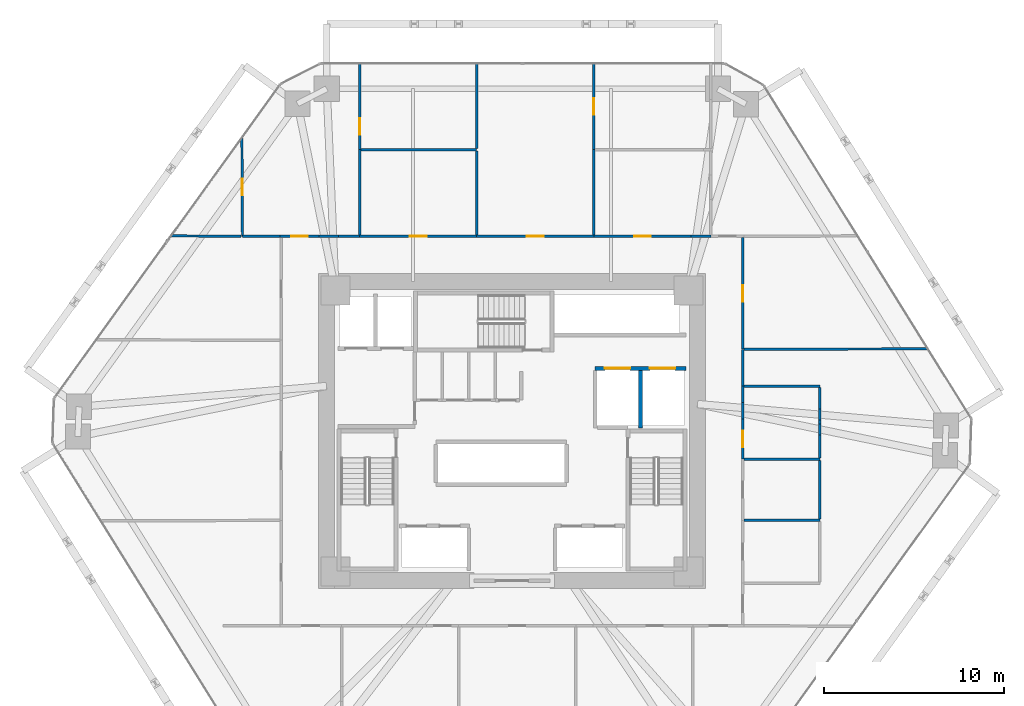
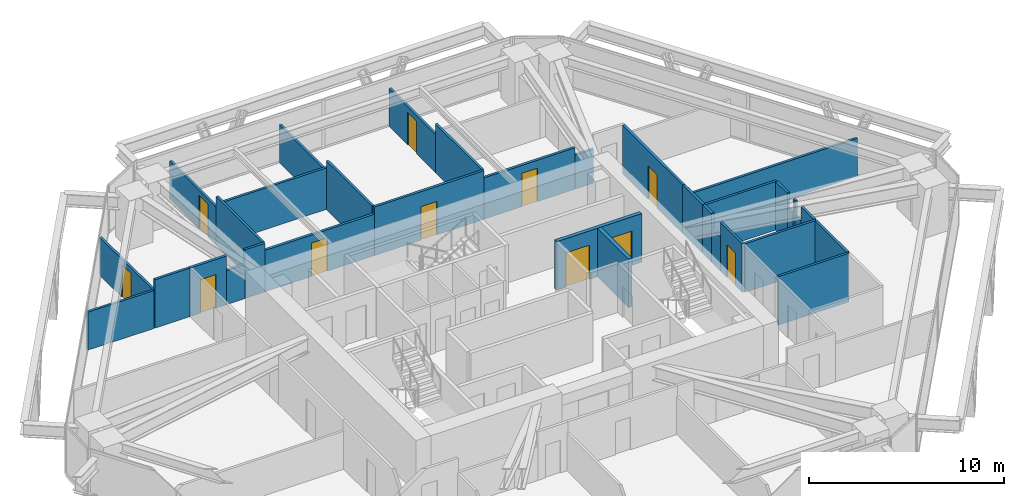
# One storey, part 13 of 15: 34 walls, 11 doors, 11 openings.
"""IFC4 building model written with IfcOpenShell, lengths in metres."""

from ifc_helpers import new_model, si_unit, direction, frame, frame_2d, origin, place, context, subcontext, project, spatial, rectangle, extrude, source, transform, mapped, material, layer, layer_set, type_object, type_shapes, element, fill, save


model = new_model("IFC4")

# Units and contexts
model_context = context("Model", 3, precision=1e-05, world=origin(), true_north=direction((0.0, 1.0)))
body_context = subcontext(model_context, "Body", "Model", "MODEL_VIEW")
ifc_project = project(units=[si_unit("LENGTHUNIT", "METRE"), si_unit("AREAUNIT", "SQUARE_METRE"), si_unit("VOLUMEUNIT", "CUBIC_METRE"), si_unit("PLANEANGLEUNIT", "RADIAN"), si_unit("MASSUNIT", "GRAM", prefix="KILO")], contexts=[model_context])

# Site, building, storey
site_placement = place(None, origin())
site = spatial("IfcSite", under=ifc_project, at=site_placement, CompositionType="ELEMENT")
building_placement = place(site_placement, origin())
building = spatial("IfcBuilding", under=site, at=building_placement, Name="Durnholm Broadcast Tower", CompositionType="ELEMENT")
storey_placement = place(building_placement, frame((0.0, 0.0, 42.300048828125)))
storey = spatial("IfcBuildingStorey", under=building, at=storey_placement, Name="L09", CompositionType="ELEMENT", Elevation=42.300048828125)

# Wall, opening, door
ifc_material_1 = material(Name="Gypsum Metal Stud Partition", Category="concrete")
ifc_layer_1 = layer(ifc_material_1, 0.135009765625)
ifc_layer_set_1 = layer_set([ifc_layer_1], Name="Gypsum Metal Stud Partition")
wall_type_1 = type_object("IfcWallType", Name="WALL-PART-135", PredefinedType="PARTITIONING", material=ifc_layer_set_1)
wall_1_placement = place(storey_placement, frame((-14.992431640625, 16.283447265625, 0.0), z_axis=(0.0, 0.0, 1.0), x_axis=(0.005932363604, -0.999982403376, 0.0)))
wall_1 = element("IfcWall", 1, at=wall_1_placement, inside=storey, type_object=wall_type_1, Name="L09 room dividing partition 8.9", PredefinedType="PARTITIONING", context=body_context, shape_type="SweptSolid", body=[
    extrude(rectangle(XDim=5.473388671875, YDim=0.135009765625, at=frame_2d((2.73681640625, 0.0))), origin(), (0.0, 0.0, 1.0), 2.3798828125),
])
opening_1_placement = place(wall_1_placement, frame((2.286865234375, 0.0, 0.0)))
opening_1 = element("IfcOpeningElement", 2, at=opening_1_placement, cuts=wall_1, Name="Opening DW-90L", PredefinedType="OPENING", context=body_context, shape_type="SweptSolid", body=[
    extrude(rectangle(XDim=0.89990234375, YDim=2.050048828125, at=frame_2d((0.449951171875, 1.02490234375))), frame((0.0, 0.07763671875, 0.0), z_axis=(0.0, -1.0, 0.0), x_axis=(1.0, 0.0, 0.0)), (0.0, 0.0, 1.0), 0.155029296875),
])
ifc_material_2 = material(Name="Laminate Restroom Door", Category="steel")
ifc_layer_2 = layer(ifc_material_2, 0.050048828125)
ifc_layer_set_2 = layer_set([ifc_layer_2], Name="Laminate Restroom Door")
door_type_1 = type_object("IfcDoorType", Name="DOOR-WC-900L", OperationType="NOTDEFINED", PredefinedType="DOOR", material=ifc_layer_set_2)
shared_shape_1 = source(origin(), body_context, "Body", "SweptSolid", [
    extrude(rectangle(XDim=0.89990234375, YDim=2.050048828125, at=frame_2d((0.449951171875, 1.02490234375))), frame((0.0, 0.02490234375, 0.0), z_axis=(0.0, -1.0, 0.0), x_axis=(1.0, 0.0, 0.0)), (0.0, 0.0, 1.0), 0.050048828125),
])
type_shapes(door_type_1, [shared_shape_1])
door_1_placement = place(opening_1_placement, origin())
door_1 = element("IfcDoor", 3, at=door_1_placement, inside=storey, type_object=door_type_1, Name="L09 Video Edit Office 1 connecting door", OperationType="SINGLE_SWING_LEFT", OverallHeight=2.050048828125, OverallWidth=0.89990234375, PredefinedType="DOOR", context=body_context, shape_type="MappedRepresentation", body=[
    mapped(shared_shape_1, transform((0.0, 0.0, 0.0), x_axis=(1.0, 0.0, 0.0), y_axis=(0.0, 1.0, 0.0), z_axis=(0.0, 0.0, 1.0), scale=1.0)),
])
fill(opening_1, door_1)

# Walls
wall_2_placement = place(storey_placement, frame((-15.031494140625, 10.810302734375, 0.0), z_axis=(0.0, 0.0, 1.0), x_axis=(-0.999982229424, 0.005961613542, 0.0)))
element("IfcWall", 4, at=wall_2_placement, inside=storey, type_object=wall_type_1, Name="L09 room dividing partition 8.23", PredefinedType="PARTITIONING", context=body_context, shape_type="SweptSolid", body=[
    extrude(rectangle(XDim=3.890380859375, YDim=0.135009765625, at=frame_2d((1.9453125, 0.0))), origin(), (0.0, 0.0, 1.0), 2.3798828125),
])
wall_3_placement = place(storey_placement, frame((-8.4599609375, 15.625, 0.0), z_axis=(0.0, 0.0, 1.0), x_axis=(0.0, -1.0, 0.0)))
element("IfcWall", 5, at=wall_3_placement, inside=storey, type_object=wall_type_1, Name="L09 room dividing partition 9.10", PredefinedType="PARTITIONING", context=body_context, shape_type="SweptSolid", body=[
    extrude(rectangle(XDim=4.736083984375, YDim=0.135009765625, at=frame_2d((2.3681640625, 0.0))), origin(), (0.0, 0.0, 1.0), 3.044921875),
])

# Wall, opening, door
wall_4_placement = place(storey_placement, frame((-8.4599609375, 20.39990234375, 0.0), z_axis=(0.0, 0.0, 1.0), x_axis=(0.0, -1.0, 0.0)))
wall_4 = element("IfcWall", 6, at=wall_4_placement, inside=storey, type_object=wall_type_1, Name="L09 room dividing partition 9.11", PredefinedType="PARTITIONING", context=body_context, shape_type="SweptSolid", body=[
    extrude(rectangle(XDim=4.77490234375, YDim=0.135009765625, at=frame_2d((2.387451171875, 0.0))), origin(), (0.0, 0.0, 1.0), 2.3798828125),
])
opening_2_placement = place(wall_4_placement, frame((3.050048828125, 0.0, 0.0)))
opening_2 = element("IfcOpeningElement", 7, at=opening_2_placement, cuts=wall_4, Name="Opening DW-90L", PredefinedType="OPENING", context=body_context, shape_type="SweptSolid", body=[
    extrude(rectangle(XDim=0.89990234375, YDim=2.050048828125, at=frame_2d((0.449951171875, 1.02490234375))), frame((0.0, 0.07763671875, 0.0), z_axis=(0.0, -1.0, 0.0), x_axis=(1.0, 0.0, 0.0)), (0.0, 0.0, 1.0), 0.155029296875),
])
door_2_placement = place(opening_2_placement, origin())
door_2 = element("IfcDoor", 8, at=door_2_placement, inside=storey, type_object=door_type_1, Name="L09 Audio Mix Office connecting door", OperationType="SINGLE_SWING_LEFT", OverallHeight=2.050048828125, OverallWidth=0.89990234375, PredefinedType="DOOR", context=body_context, shape_type="MappedRepresentation", body=[
    mapped(shared_shape_1, transform((0.0, 0.0, 0.0), x_axis=(1.0, 0.0, 0.0), y_axis=(0.0, 1.0, 0.0), z_axis=(0.0, 0.0, 1.0), scale=1.0)),
])
fill(opening_2, door_2)

# Walls
wall_5_placement = place(storey_placement, frame((-12.889892578125, 10.81005859375, 0.0), z_axis=(0.0, 0.0, 1.0), x_axis=(-1.0, 0.0, 0.0)))
element("IfcWall", 9, at=wall_5_placement, inside=storey, type_object=wall_type_1, Name="L09 room dividing partition 9.23", PredefinedType="PARTITIONING", context=body_context, shape_type="SweptSolid", body=[
    extrude(rectangle(XDim=2.070068359375, YDim=0.135009765625, at=frame_2d((1.03515625, 0.0))), origin(), (0.0, 0.0, 1.0), 3.044921875),
])
wall_6_placement = place(storey_placement, frame((-8.388427734375, 15.625, 0.0), z_axis=(0.0, 0.0, 1.0), x_axis=(1.0, 0.0, 0.0)))
element("IfcWall", 10, at=wall_6_placement, inside=storey, type_object=wall_type_1, Name="L09 room dividing partition 10.11", PredefinedType="PARTITIONING", context=body_context, shape_type="SweptSolid", body=[
    extrude(rectangle(XDim=6.428466796875, YDim=0.135009765625, at=frame_2d((3.21435546875, 0.0))), origin(), (0.0, 0.0, 1.0), 2.59765625),
])
wall_7_placement = place(storey_placement, frame((-1.9599609375, 15.553466796875, 0.0), z_axis=(0.0, 0.0, 1.0), x_axis=(0.0, -1.0, 0.0)))
element("IfcWall", 11, at=wall_7_placement, inside=storey, type_object=wall_type_1, Name="L09 room dividing partition 10.12", PredefinedType="PARTITIONING", context=body_context, shape_type="SweptSolid", body=[
    extrude(rectangle(XDim=4.66455078125, YDim=0.135009765625, at=frame_2d((2.332275390625, 0.0))), origin(), (0.0, 0.0, 1.0), 3.044921875),
])
wall_8_placement = place(storey_placement, frame((-1.9599609375, 20.39990234375, 0.0), z_axis=(0.0, 0.0, 1.0), x_axis=(0.0, -1.0, 0.0)))
element("IfcWall", 12, at=wall_8_placement, inside=storey, type_object=wall_type_1, Name="L09 room dividing partition 11.12", PredefinedType="PARTITIONING", context=body_context, shape_type="SweptSolid", body=[
    extrude(rectangle(XDim=4.703369140625, YDim=0.135009765625, at=frame_2d((2.3515625, 0.0))), origin(), (0.0, 0.0, 1.0), 2.3798828125),
])
wall_9_placement = place(storey_placement, frame((4.5400390625, 15.625, 0.0), z_axis=(0.0, 0.0, 1.0), x_axis=(0.0, -1.0, 0.0)))
element("IfcWall", 13, at=wall_9_placement, inside=storey, type_object=wall_type_1, Name="L09 room dividing partition 12.13", PredefinedType="PARTITIONING", context=body_context, shape_type="SweptSolid", body=[
    extrude(rectangle(XDim=4.736083984375, YDim=0.135009765625, at=frame_2d((2.3681640625, 0.0))), origin(), (0.0, 0.0, 1.0), 3.044921875),
])

# Wall, opening, door
wall_10_placement = place(storey_placement, frame((4.5400390625, 20.39990234375, 0.0), z_axis=(0.0, 0.0, 1.0), x_axis=(0.0, -1.0, 0.0)))
wall_10 = element("IfcWall", 14, at=wall_10_placement, inside=storey, type_object=wall_type_1, Name="L09 room dividing partition 12.14", PredefinedType="PARTITIONING", context=body_context, shape_type="SweptSolid", body=[
    extrude(rectangle(XDim=4.77490234375, YDim=0.135009765625, at=frame_2d((2.387451171875, 0.0))), origin(), (0.0, 0.0, 1.0), 2.3798828125),
])
opening_3_placement = place(wall_10_placement, frame((1.9375, 0.0, 0.0)))
opening_3 = element("IfcOpeningElement", 15, at=opening_3_placement, cuts=wall_10, Name="Opening DW-90L", PredefinedType="OPENING", context=body_context, shape_type="SweptSolid", body=[
    extrude(rectangle(XDim=0.89990234375, YDim=2.050048828125, at=frame_2d((0.449951171875, 1.02490234375))), frame((0.0, 0.07763671875, 0.0), z_axis=(0.0, -1.0, 0.0), x_axis=(1.0, 0.0, 0.0)), (0.0, 0.0, 1.0), 0.155029296875),
])
door_3_placement = place(opening_3_placement, origin())
door_3 = element("IfcDoor", 16, at=door_3_placement, inside=storey, type_object=door_type_1, Name="L09 Reporter Office 1 connecting door", OperationType="SINGLE_SWING_LEFT", OverallHeight=2.050048828125, OverallWidth=0.89990234375, PredefinedType="DOOR", context=body_context, shape_type="MappedRepresentation", body=[
    mapped(shared_shape_1, transform((0.0, 0.0, 0.0), x_axis=(1.0, 0.0, 0.0), y_axis=(0.0, 1.0, 0.0), z_axis=(0.0, 0.0, 1.0), scale=1.0)),
])
fill(opening_3, door_3)

# Walls
wall_11_placement = place(storey_placement, frame((12.888916015625, 4.540283203125, 0.0), z_axis=(0.0, 0.0, 1.0), x_axis=(0.99999792939, 0.002034997821, 0.0)))
element("IfcWall", 17, at=wall_11_placement, inside=storey, type_object=wall_type_1, Name="L09 room dividing partition 24.25", PredefinedType="PARTITIONING", context=body_context, shape_type="SweptSolid", body=[
    extrude(rectangle(XDim=10.197509765625, YDim=0.135009765625, at=frame_2d((5.0986328125, 0.0))), origin(), (0.0, 0.0, 1.0), 2.3798828125),
])
ifc_material_3 = material(Name="Acoustic Gypsum Stud Partition", Category="concrete")
ifc_layer_3 = layer(ifc_material_3, 0.14990234375)
ifc_layer_set_3 = layer_set([ifc_layer_3], Name="Acoustic Gypsum Stud Partition")
wall_type_2 = type_object("IfcWallType", Name="WALL-PART-150", PredefinedType="PARTITIONING", material=ifc_layer_set_3)
wall_12_placement = place(storey_placement, frame((-8.4599609375, 10.81005859375, 0.0), z_axis=(0.0, 0.0, 1.0), x_axis=(-1.0, 0.0, 0.0)))
element("IfcWall", 18, at=wall_12_placement, inside=storey, type_object=wall_type_2, Name="L09 Video Edit Office 2 corridor partition", PredefinedType="PARTITIONING", context=body_context, shape_type="SweptSolid", body=[
    extrude(rectangle(XDim=1.16748046875, YDim=0.14990234375, at=frame_2d((0.583740234375, 0.0))), origin(), (0.0, 0.0, 1.0), 3.044921875),
])

# Wall, opening, door
wall_13_placement = place(storey_placement, frame((-10.719970703125, 10.81005859375, 0.0), z_axis=(0.0, 0.0, 1.0), x_axis=(-1.0, 0.0, 0.0)))
wall_13 = element("IfcWall", 19, at=wall_13_placement, inside=storey, type_object=wall_type_2, Name="L09 Video Edit Office 2 corridor partition", PredefinedType="PARTITIONING", context=body_context, shape_type="SweptSolid", body=[
    extrude(rectangle(XDim=2.169921875, YDim=0.14990234375, at=frame_2d((1.0849609375, 0.0))), origin(), (0.0, 0.0, 1.0), 3.044921875),
])
opening_4_placement = place(wall_13_placement, frame((0.625, 0.0, 0.0)))
opening_4 = element("IfcOpeningElement", 20, at=opening_4_placement, cuts=wall_13, Name="Opening DR-92R", PredefinedType="OPENING", context=body_context, shape_type="SweptSolid", body=[
    extrude(rectangle(XDim=0.919921875, YDim=2.10009765625, at=frame_2d((0.4599609375, 1.050048828125))), frame((0.0, 0.0849609375, 0.0), z_axis=(0.0, -1.0, 0.0), x_axis=(1.0, 0.0, 0.0)), (0.0, 0.0, 1.0), 0.169921875),
])
ifc_material_4 = material(Name="Oak Veneer Office Door", Category="wood")
ifc_layer_4 = layer(ifc_material_4, 0.050048828125)
ifc_layer_set_4 = layer_set([ifc_layer_4], Name="Oak Veneer Office Door")
door_type_2 = type_object("IfcDoorType", Name="DOOR-RM-920R", OperationType="NOTDEFINED", PredefinedType="DOOR", material=ifc_layer_set_4)
shared_shape_2 = source(origin(), body_context, "Body", "SweptSolid", [
    extrude(rectangle(XDim=0.919921875, YDim=2.10009765625, at=frame_2d((0.4599609375, 1.050048828125))), frame((0.0, 0.02490234375, 0.0), z_axis=(0.0, -1.0, 0.0), x_axis=(1.0, 0.0, 0.0)), (0.0, 0.0, 1.0), 0.050048828125),
])
type_shapes(door_type_2, [shared_shape_2])
door_4_placement = place(opening_4_placement, origin())
door_4 = element("IfcDoor", 21, at=door_4_placement, inside=storey, type_object=door_type_2, Name="L09 Video Edit Office 2 entrance door", OperationType="SINGLE_SWING_RIGHT", OverallHeight=2.10009765625, OverallWidth=0.919921875, PredefinedType="DOOR", context=body_context, shape_type="MappedRepresentation", body=[
    mapped(shared_shape_2, transform((0.0, 0.0, 0.0), x_axis=(1.0, 0.0, 0.0), y_axis=(0.0, 1.0, 0.0), z_axis=(0.0, 0.0, 1.0), scale=1.0)),
])
fill(opening_4, door_4)

# Wall
wall_14_placement = place(storey_placement, frame((-9.62744140625, 10.81005859375, 0.0), z_axis=(0.0, 0.0, 1.0), x_axis=(-1.0, 0.0, 0.0)))
element("IfcWall", 22, at=wall_14_placement, inside=storey, type_object=wall_type_2, Name="L09 Video Edit Office 2 corridor partition", PredefinedType="PARTITIONING", context=body_context, shape_type="SweptSolid", body=[
    extrude(rectangle(XDim=1.092529296875, YDim=0.14990234375, at=frame_2d((0.54638671875, 0.0))), origin(), (0.0, 0.0, 1.0), 2.130126953125),
])

# Wall, opening, door
wall_15_placement = place(storey_placement, frame((-1.9599609375, 10.81005859375, 0.0), z_axis=(0.0, 0.0, 1.0), x_axis=(-1.0, 0.0, 0.0)))
wall_15 = element("IfcWall", 23, at=wall_15_placement, inside=storey, type_object=wall_type_2, Name="L09 Color Timing Office corridor partition", PredefinedType="PARTITIONING", context=body_context, shape_type="SweptSolid", body=[
    extrude(rectangle(XDim=6.5, YDim=0.14990234375, at=frame_2d((3.25, 0.0))), origin(), (0.0, 0.0, 1.0), 2.59765625),
])
opening_5_placement = place(wall_15_placement, frame((2.77490234375, 0.0, 0.0)))
opening_5 = element("IfcOpeningElement", 24, at=opening_5_placement, cuts=wall_15, Name="Opening DR-95L", PredefinedType="OPENING", context=body_context, shape_type="SweptSolid", body=[
    extrude(rectangle(XDim=0.949951171875, YDim=2.10009765625, at=frame_2d((0.47509765625, 1.050048828125))), frame((0.0, 0.0849609375, 0.0), z_axis=(0.0, -1.0, 0.0), x_axis=(1.0, 0.0, 0.0)), (0.0, 0.0, 1.0), 0.169921875),
])
ifc_material_5 = material(Name="Acoustic Oak Veneer Timber Door", Category="wood")
ifc_layer_5 = layer(ifc_material_5, 0.050048828125)
ifc_layer_set_5 = layer_set([ifc_layer_5], Name="Acoustic Oak Veneer Timber Door")
door_type_3 = type_object("IfcDoorType", Name="DOOR-RM-950L", OperationType="NOTDEFINED", PredefinedType="DOOR", material=ifc_layer_set_5)
shared_shape_3 = source(origin(), body_context, "Body", "SweptSolid", [
    extrude(rectangle(XDim=0.949951171875, YDim=2.10009765625, at=frame_2d((0.47509765625, 1.050048828125))), frame((0.0, 0.02490234375, 0.0), z_axis=(0.0, -1.0, 0.0), x_axis=(1.0, 0.0, 0.0)), (0.0, 0.0, 1.0), 0.050048828125),
])
type_shapes(door_type_3, [shared_shape_3])
door_5_placement = place(opening_5_placement, origin())
door_5 = element("IfcDoor", 25, at=door_5_placement, inside=storey, type_object=door_type_3, Name="L09 Color Timing Office entrance door", OperationType="SINGLE_SWING_LEFT", OverallHeight=2.10009765625, OverallWidth=0.949951171875, PredefinedType="DOOR", context=body_context, shape_type="MappedRepresentation", body=[
    mapped(shared_shape_3, transform((0.0, 0.0, 0.0), x_axis=(1.0, 0.0, 0.0), y_axis=(0.0, 1.0, 0.0), z_axis=(0.0, 0.0, 1.0), scale=1.0)),
])
fill(opening_5, door_5)

wall_16_placement = place(storey_placement, frame((4.5400390625, 10.81005859375, 0.0), z_axis=(0.0, 0.0, 1.0), x_axis=(-1.0, 0.0, 0.0)))
wall_16 = element("IfcWall", 26, at=wall_16_placement, inside=storey, type_object=wall_type_2, Name="L09 Senior Editor Office corridor partition", PredefinedType="PARTITIONING", context=body_context, shape_type="SweptSolid", body=[
    extrude(rectangle(XDim=6.5, YDim=0.14990234375, at=frame_2d((3.25, 0.0))), origin(), (0.0, 0.0, 1.0), 3.044921875),
])
opening_6_placement = place(wall_16_placement, frame((2.77490234375, 0.0, 0.0)))
opening_6 = element("IfcOpeningElement", 27, at=opening_6_placement, cuts=wall_16, Name="Opening DR-95R", PredefinedType="OPENING", context=body_context, shape_type="SweptSolid", body=[
    extrude(rectangle(XDim=0.949951171875, YDim=2.10009765625, at=frame_2d((0.47509765625, 1.050048828125))), frame((0.0, 0.0849609375, 0.0), z_axis=(0.0, -1.0, 0.0), x_axis=(1.0, 0.0, 0.0)), (0.0, 0.0, 1.0), 0.169921875),
])
ifc_layer_6 = layer(ifc_material_5, 0.050048828125)
ifc_layer_set_6 = layer_set([ifc_layer_6], Name="Acoustic Oak Veneer Timber Door")
door_type_4 = type_object("IfcDoorType", Name="DOOR-RM-950R", OperationType="NOTDEFINED", PredefinedType="DOOR", material=ifc_layer_set_6)
shared_shape_4 = source(origin(), body_context, "Body", "SweptSolid", [
    extrude(rectangle(XDim=0.949951171875, YDim=2.10009765625, at=frame_2d((0.47509765625, 1.050048828125))), frame((0.0, 0.02490234375, 0.0), z_axis=(0.0, -1.0, 0.0), x_axis=(1.0, 0.0, 0.0)), (0.0, 0.0, 1.0), 0.050048828125),
])
type_shapes(door_type_4, [shared_shape_4])
door_6_placement = place(opening_6_placement, origin())
door_6 = element("IfcDoor", 28, at=door_6_placement, inside=storey, type_object=door_type_4, Name="L09 Senior Editor Office entrance door", OperationType="SINGLE_SWING_RIGHT", OverallHeight=2.10009765625, OverallWidth=0.949951171875, PredefinedType="DOOR", context=body_context, shape_type="MappedRepresentation", body=[
    mapped(shared_shape_4, transform((0.0, 0.0, 0.0), x_axis=(1.0, 0.0, 0.0), y_axis=(0.0, 1.0, 0.0), z_axis=(0.0, 0.0, 1.0), scale=1.0)),
])
fill(opening_6, door_6)

wall_17_placement = place(storey_placement, frame((9.93310546875, 10.81005859375, 0.0), z_axis=(0.0, 0.0, 1.0), x_axis=(-1.0, 0.0, 0.0)))
wall_17 = element("IfcWall", 29, at=wall_17_placement, inside=storey, type_object=wall_type_2, Name="L09 Anchor Prep Office corridor partition", PredefinedType="PARTITIONING", context=body_context, shape_type="SweptSolid", body=[
    extrude(rectangle(XDim=5.39306640625, YDim=0.14990234375, at=frame_2d((2.696533203125, 0.0))), origin(), (0.0, 0.0, 1.0), 2.59765625),
])
opening_7_placement = place(wall_17_placement, frame((2.236572265625, 0.0, 0.0)))
opening_7 = element("IfcOpeningElement", 30, at=opening_7_placement, cuts=wall_17, Name="Opening DR-92L", PredefinedType="OPENING", context=body_context, shape_type="SweptSolid", body=[
    extrude(rectangle(XDim=0.919921875, YDim=2.10009765625, at=frame_2d((0.4599609375, 1.050048828125))), frame((0.0, 0.0849609375, 0.0), z_axis=(0.0, -1.0, 0.0), x_axis=(1.0, 0.0, 0.0)), (0.0, 0.0, 1.0), 0.169921875),
])
ifc_layer_7 = layer(ifc_material_4, 0.050048828125)
ifc_layer_set_7 = layer_set([ifc_layer_7], Name="Oak Veneer Office Door")
door_type_5 = type_object("IfcDoorType", Name="DOOR-RM-920L", OperationType="NOTDEFINED", PredefinedType="DOOR", material=ifc_layer_set_7)
shared_shape_5 = source(origin(), body_context, "Body", "SweptSolid", [
    extrude(rectangle(XDim=0.919921875, YDim=2.10009765625, at=frame_2d((0.4599609375, 1.050048828125))), frame((0.0, 0.02490234375, 0.0), z_axis=(0.0, -1.0, 0.0), x_axis=(1.0, 0.0, 0.0)), (0.0, 0.0, 1.0), 0.050048828125),
])
type_shapes(door_type_5, [shared_shape_5])
door_7_placement = place(opening_7_placement, origin())
door_7 = element("IfcDoor", 31, at=door_7_placement, inside=storey, type_object=door_type_5, Name="L09 Anchor Prep Office entrance door", OperationType="SINGLE_SWING_LEFT", OverallHeight=2.10009765625, OverallWidth=0.919921875, PredefinedType="DOOR", context=body_context, shape_type="MappedRepresentation", body=[
    mapped(shared_shape_5, transform((0.0, 0.0, 0.0), x_axis=(1.0, 0.0, 0.0), y_axis=(0.0, 1.0, 0.0), z_axis=(0.0, 0.0, 1.0), scale=1.0)),
])
fill(opening_7, door_7)

# Walls
wall_18_placement = place(storey_placement, frame((11.0400390625, 10.81005859375, 0.0), z_axis=(0.0, 0.0, 1.0), x_axis=(-1.0, 0.0, 0.0)))
element("IfcWall", 32, at=wall_18_placement, inside=storey, type_object=wall_type_2, Name="L09 Anchor Prep Office corridor partition", PredefinedType="PARTITIONING", context=body_context, shape_type="SweptSolid", body=[
    extrude(rectangle(XDim=1.10693359375, YDim=0.14990234375, at=frame_2d((0.553466796875, 0.0))), origin(), (0.0, 0.0, 1.0), 2.130126953125),
])
wall_19_placement = place(storey_placement, frame((12.81005859375, 2.489990234375, 0.0), z_axis=(0.0, 0.0, 1.0), x_axis=(0.0, 1.0, 0.0)))
element("IfcWall", 33, at=wall_19_placement, inside=storey, type_object=wall_type_2, Name="L09 Anchor Prep Office corridor partition", PredefinedType="PARTITIONING", context=body_context, shape_type="SweptSolid", body=[
    extrude(rectangle(XDim=2.050048828125, YDim=0.14990234375, at=frame_2d((1.02490234375, 0.0))), origin(), (0.0, 0.0, 1.0), 3.044921875),
])

# Wall, opening, door
wall_20_placement = place(storey_placement, frame((12.81005859375, 4.5400390625, 0.0), z_axis=(0.0, 0.0, 1.0), x_axis=(0.0, 1.0, 0.0)))
wall_20 = element("IfcWall", 34, at=wall_20_placement, inside=storey, type_object=wall_type_2, Name="L09 Reporter Office 1 corridor partition", PredefinedType="PARTITIONING", context=body_context, shape_type="SweptSolid", body=[
    extrude(rectangle(XDim=6.19091796875, YDim=0.14990234375, at=frame_2d((3.095458984375, 0.0))), origin(), (0.0, 0.0, 1.0), 3.044921875),
])
opening_8_placement = place(wall_20_placement, frame((2.635498046875, 0.0, 0.0)))
opening_8 = element("IfcOpeningElement", 35, at=opening_8_placement, cuts=wall_20, Name="Opening DR-92L", PredefinedType="OPENING", context=body_context, shape_type="SweptSolid", body=[
    extrude(rectangle(XDim=0.919921875, YDim=2.10009765625, at=frame_2d((0.4599609375, 1.050048828125))), frame((0.0, 0.0849609375, 0.0), z_axis=(0.0, -1.0, 0.0), x_axis=(1.0, 0.0, 0.0)), (0.0, 0.0, 1.0), 0.169921875),
])
door_8_placement = place(opening_8_placement, origin())
door_8 = element("IfcDoor", 36, at=door_8_placement, inside=storey, type_object=door_type_5, Name="L09 Reporter Office 1 entrance door", OperationType="SINGLE_SWING_LEFT", OverallHeight=2.10009765625, OverallWidth=0.919921875, PredefinedType="DOOR", context=body_context, shape_type="MappedRepresentation", body=[
    mapped(shared_shape_5, transform((0.0, 0.0, 0.0), x_axis=(1.0, 0.0, 0.0), y_axis=(0.0, 1.0, 0.0), z_axis=(0.0, 0.0, 1.0), scale=1.0)),
])
fill(opening_8, door_8)

# Wall, openings, doors
ifc_material_6 = material(Name="Concrete Blockwork C30/37", Category="masonry")
ifc_layer_8 = layer(ifc_material_6, 0.219970703125)
ifc_layer_set_8 = layer_set([ifc_layer_8], Name="Concrete Blockwork C30/37")
wall_type_3 = type_object("IfcWallType", Name="WALL-SHAFT-220", PredefinedType="SOLIDWALL", material=ifc_layer_set_8)
wall_21_placement = place(storey_placement, frame((4.60009765625, 3.47998046875, 0.0), z_axis=(0.0, 0.0, 1.0), x_axis=(1.0, 0.0, 0.0)))
wall_21 = element("IfcWall", 37, at=wall_21_placement, inside=storey, type_object=wall_type_3, Name="L09 freight service lifts north front wall", PredefinedType="SOLIDWALL", context=body_context, shape_type="SweptSolid", body=[
    extrude(rectangle(XDim=5.0498046875, YDim=0.219970703125, at=frame_2d((2.52490234375, 0.0))), origin(), (0.0, 0.0, 1.0), 3.044921875),
])
opening_9_placement = place(wall_21_placement, frame((0.550048828125, 0.0, 0.0)))
opening_9 = element("IfcOpeningElement", 38, at=opening_9_placement, cuts=wall_21, Name="Opening LD-SVL-2", PredefinedType="OPENING", context=body_context, shape_type="SweptSolid", body=[
    extrude(rectangle(XDim=1.39990234375, YDim=2.14990234375, at=frame_2d((0.699951171875, 1.074951171875))), frame((0.0, 0.1201171875, 0.0), z_axis=(0.0, -1.0, 0.0), x_axis=(1.0, 0.0, 0.0)), (0.0, 0.0, 1.0), 0.239990234375),
])
opening_10_placement = place(wall_21_placement, frame((3.050048828125, 0.0, 0.0)))
opening_10 = element("IfcOpeningElement", 39, at=opening_10_placement, cuts=wall_21, Name="Opening LD-SVL-1", PredefinedType="OPENING", context=body_context, shape_type="SweptSolid", body=[
    extrude(rectangle(XDim=1.39990234375, YDim=2.14990234375, at=frame_2d((0.699951171875, 1.074951171875))), frame((0.0, 0.1201171875, 0.0), z_axis=(0.0, -1.0, 0.0), x_axis=(1.0, 0.0, 0.0)), (0.0, 0.0, 1.0), 0.239990234375),
])
ifc_material_7 = material(Name="Freight Elevator Bi-Parting Sliding Landing Door", Category="steel")
ifc_layer_9 = layer(ifc_material_7, 0.050048828125)
ifc_layer_set_9 = layer_set([ifc_layer_9], Name="Freight Elevator Bi-Parting Sliding Landing Door")
door_type_6 = type_object("IfcDoorType", Name="DOOR-LIFT-SVL", OperationType="DOUBLE_DOOR_SLIDING", PredefinedType="DOOR", material=ifc_layer_set_9)
shared_shape_6 = source(origin(), body_context, "Body", "SweptSolid", [
    extrude(rectangle(XDim=1.39990234375, YDim=2.14990234375, at=frame_2d((0.699951171875, 1.074951171875))), frame((0.0, 0.02490234375, 0.0), z_axis=(0.0, -1.0, 0.0), x_axis=(1.0, 0.0, 0.0)), (0.0, 0.0, 1.0), 0.050048828125),
])
type_shapes(door_type_6, [shared_shape_6])
door_9_placement = place(opening_9_placement, origin())
door_9 = element("IfcDoor", 40, at=door_9_placement, inside=storey, type_object=door_type_6, Name="L09 freight service elevator SVL-2 sliding landing door", OperationType="DOUBLE_DOOR_SLIDING", OverallHeight=2.14990234375, OverallWidth=1.39990234375, PredefinedType="DOOR", context=body_context, shape_type="MappedRepresentation", body=[
    mapped(shared_shape_6, transform((0.0, 0.0, 0.0), x_axis=(1.0, 0.0, 0.0), y_axis=(0.0, 1.0, 0.0), z_axis=(0.0, 0.0, 1.0), scale=1.0)),
])
fill(opening_9, door_9)
door_10_placement = place(opening_10_placement, origin())
door_10 = element("IfcDoor", 41, at=door_10_placement, inside=storey, type_object=door_type_6, Name="L09 freight service elevator SVL-1 sliding landing door", OperationType="DOUBLE_DOOR_SLIDING", OverallHeight=2.14990234375, OverallWidth=1.39990234375, PredefinedType="DOOR", context=body_context, shape_type="MappedRepresentation", body=[
    mapped(shared_shape_6, transform((0.0, 0.0, 0.0), x_axis=(1.0, 0.0, 0.0), y_axis=(0.0, 1.0, 0.0), z_axis=(0.0, 0.0, 1.0), scale=1.0)),
])
fill(opening_10, door_10)

# Wall
wall_22_placement = place(storey_placement, frame((7.1201171875, 0.179931640625, 0.0), z_axis=(0.0, 0.0, 1.0), x_axis=(0.0, 1.0, 0.0)))
element("IfcWall", 42, at=wall_22_placement, inside=storey, type_object=wall_type_3, Name="L09 freight service lifts divider wall", PredefinedType="SOLIDWALL", context=body_context, shape_type="SweptSolid", body=[
    extrude(rectangle(XDim=3.18603515625, YDim=0.219970703125, at=frame_2d((1.593017578125, 0.0))), origin(), (0.0, 0.0, 1.0), 3.044921875),
])

# Wall, opening, door
ifc_material_8 = material(Name="Moisture-Resistant Tile Partition", Category="concrete")
ifc_layer_10 = layer(ifc_material_8, 0.139892578125)
ifc_layer_set_10 = layer_set([ifc_layer_10], Name="Moisture-Resistant Tile Partition")
wall_type_4 = type_object("IfcWallType", Name="WALL-WC-140", PredefinedType="PARTITIONING", material=ifc_layer_set_10)
wall_23_placement = place(storey_placement, frame((12.81005859375, -1.56005859375, 0.0), z_axis=(0.0, 0.0, 1.0), x_axis=(0.0, 1.0, 0.0)))
wall_23 = element("IfcWall", 43, at=wall_23_placement, inside=storey, type_object=wall_type_4, Name="L09 Accessible Restroom corridor partition", PredefinedType="PARTITIONING", context=body_context, shape_type="SweptSolid", body=[
    extrude(rectangle(XDim=2.231201171875, YDim=0.139892578125, at=frame_2d((1.11572265625, 0.0))), origin(), (0.0, 0.0, 1.0), 3.044921875),
])
opening_11_placement = place(wall_23_placement, frame((0.66552734375, 0.0, 0.0)))
opening_11 = element("IfcOpeningElement", 44, at=opening_11_placement, cuts=wall_23, Name="Opening DW-90L", PredefinedType="OPENING", context=body_context, shape_type="SweptSolid", body=[
    extrude(rectangle(XDim=0.89990234375, YDim=2.050048828125, at=frame_2d((0.449951171875, 1.02490234375))), frame((0.0, 0.080078125, 0.0), z_axis=(0.0, -1.0, 0.0), x_axis=(1.0, 0.0, 0.0)), (0.0, 0.0, 1.0), 0.159912109375),
])
door_11_placement = place(opening_11_placement, origin())
door_11 = element("IfcDoor", 45, at=door_11_placement, inside=storey, type_object=door_type_1, Name="L09 Accessible Restroom entrance door", OperationType="SINGLE_SWING_LEFT", OverallHeight=2.050048828125, OverallWidth=0.89990234375, PredefinedType="DOOR", context=body_context, shape_type="MappedRepresentation", body=[
    mapped(shared_shape_1, transform((0.0, 0.0, 0.0), x_axis=(1.0, 0.0, 0.0), y_axis=(0.0, 1.0, 0.0), z_axis=(0.0, 0.0, 1.0), scale=1.0)),
])
fill(opening_11, door_11)

# Walls
wall_24_placement = place(storey_placement, frame((12.81005859375, 1.584716796875, 0.0), z_axis=(0.0, 0.0, 1.0), x_axis=(0.0, 1.0, 0.0)))
element("IfcWall", 46, at=wall_24_placement, inside=storey, type_object=wall_type_4, Name="L09 Accessible Restroom corridor partition", PredefinedType="PARTITIONING", context=body_context, shape_type="SweptSolid", body=[
    extrude(rectangle(XDim=0.9052734375, YDim=0.139892578125, at=frame_2d((0.45263671875, 0.0))), origin(), (0.0, 0.0, 1.0), 3.044921875),
])
wall_25_placement = place(storey_placement, frame((12.81005859375, 0.671142578125, 0.0), z_axis=(0.0, 0.0, 1.0), x_axis=(0.0, 1.0, 0.0)))
element("IfcWall", 47, at=wall_25_placement, inside=storey, type_object=wall_type_4, Name="L09 Accessible Restroom corridor partition", PredefinedType="PARTITIONING", context=body_context, shape_type="SweptSolid", body=[
    extrude(rectangle(XDim=0.91357421875, YDim=0.139892578125, at=frame_2d((0.456787109375, 0.0))), origin(), (0.0, 0.0, 1.0), 2.130126953125),
])
for number, where, z_axis, x_axis, name in (
    (48, (12.884033203125, -4.9599609375, 0.0), (0.0, 0.0, 1.0), (1.0, 0.0, 0.0), "L09 room dividing partition 5.6"),
    (49, (12.884033203125, -1.56005859375, 0.0), (0.0, 0.0, 1.0), (1.0, 0.0, 0.0), "L09 room dividing partition 6.7"),
):
    element("IfcWall", number, at=place(storey_placement, frame(where, z_axis=z_axis, x_axis=x_axis)), inside=storey, type_object=wall_type_4, Name=name, PredefinedType="PARTITIONING", context=body_context, shape_type="SweptSolid", body=[
        extrude(rectangle(XDim=4.2060546875, YDim=0.139892578125, at=frame_2d((2.10302734375, 0.0))), origin(), (0.0, 0.0, 1.0), 3.044921875),
    ])
wall_26_placement = place(storey_placement, frame((17.090087890625, -1.634033203125, 0.0), z_axis=(0.0, 0.0, 1.0), x_axis=(0.0, -1.0, 0.0)))
element("IfcWall", 50, at=wall_26_placement, inside=storey, type_object=wall_type_4, Name="L09 room dividing partition 6.24", PredefinedType="PARTITIONING", context=body_context, shape_type="SweptSolid", body=[
    extrude(rectangle(XDim=3.251953125, YDim=0.139892578125, at=frame_2d((1.6259765625, 0.0))), origin(), (0.0, 0.0, 1.0), 3.044921875),
])
wall_27_placement = place(storey_placement, frame((12.888916015625, 2.489990234375, 0.0), z_axis=(0.0, 0.0, 1.0), x_axis=(1.0, 0.0, 0.0)))
element("IfcWall", 51, at=wall_27_placement, inside=storey, type_object=wall_type_4, Name="L09 room dividing partition 7.24", PredefinedType="PARTITIONING", context=body_context, shape_type="SweptSolid", body=[
    extrude(rectangle(XDim=4.201171875, YDim=0.139892578125, at=frame_2d((2.1005859375, 0.0))), origin(), (0.0, 0.0, 1.0), 3.044921875),
])
wall_28_placement = place(storey_placement, frame((17.090087890625, 2.416015625, 0.0), z_axis=(0.0, 0.0, 1.0), x_axis=(0.0, -1.0, 0.0)))
element("IfcWall", 52, at=wall_28_placement, inside=storey, type_object=wall_type_4, Name="L09 room dividing partition 7.24", PredefinedType="PARTITIONING", context=body_context, shape_type="SweptSolid", body=[
    extrude(rectangle(XDim=1.203857421875, YDim=0.139892578125, at=frame_2d((0.60205078125, 0.0))), origin(), (0.0, 0.0, 1.0), 3.044921875),
])
wall_29_placement = place(storey_placement, frame((17.090087890625, 0.60595703125, 0.0), z_axis=(0.0, 0.0, 1.0), x_axis=(0.0, -1.0, 0.0)))
element("IfcWall", 53, at=wall_29_placement, inside=storey, type_object=wall_type_4, Name="L09 room dividing partition 7.24", PredefinedType="PARTITIONING", context=body_context, shape_type="SweptSolid", body=[
    extrude(rectangle(XDim=0.205078125, YDim=0.139892578125, at=frame_2d((0.1025390625, 0.0))), origin(), (0.0, 0.0, 1.0), 3.044921875),
])
wall_30_placement = place(storey_placement, frame((17.090087890625, -0.216064453125, 0.0), z_axis=(0.0, 0.0, 1.0), x_axis=(0.0, -1.0, 0.0)))
element("IfcWall", 54, at=wall_30_placement, inside=storey, type_object=wall_type_4, Name="L09 room dividing partition 7.24", PredefinedType="PARTITIONING", context=body_context, shape_type="SweptSolid", body=[
    extrude(rectangle(XDim=1.27001953125, YDim=0.139892578125, at=frame_2d((0.635009765625, 0.0))), origin(), (0.0, 0.0, 1.0), 3.044921875),
])
wall_31_placement = place(storey_placement, frame((17.090087890625, 1.212158203125, 0.0), z_axis=(0.0, 0.0, 1.0), x_axis=(0.0, -1.0, 0.0)))
element("IfcWall", 55, at=wall_31_placement, inside=storey, type_object=wall_type_4, Name="L09 room dividing partition 7.24", PredefinedType="PARTITIONING", context=body_context, shape_type="SweptSolid", body=[
    extrude(rectangle(XDim=0.606201171875, YDim=0.139892578125, at=frame_2d((0.30322265625, 0.0))), origin(), (0.0, 0.0, 1.0), 2.130126953125),
])
wall_32_placement = place(storey_placement, frame((17.090087890625, 0.40087890625, 0.0), z_axis=(0.0, 0.0, 1.0), x_axis=(0.0, -1.0, 0.0)))
element("IfcWall", 56, at=wall_32_placement, inside=storey, type_object=wall_type_4, Name="L09 room dividing partition 7.24", PredefinedType="PARTITIONING", context=body_context, shape_type="SweptSolid", body=[
    extrude(rectangle(XDim=0.616943359375, YDim=0.139892578125, at=frame_2d((0.30859375, 0.0))), origin(), (0.0, 0.0, 1.0), 2.130126953125),
])

save(model, "model.ifc")
